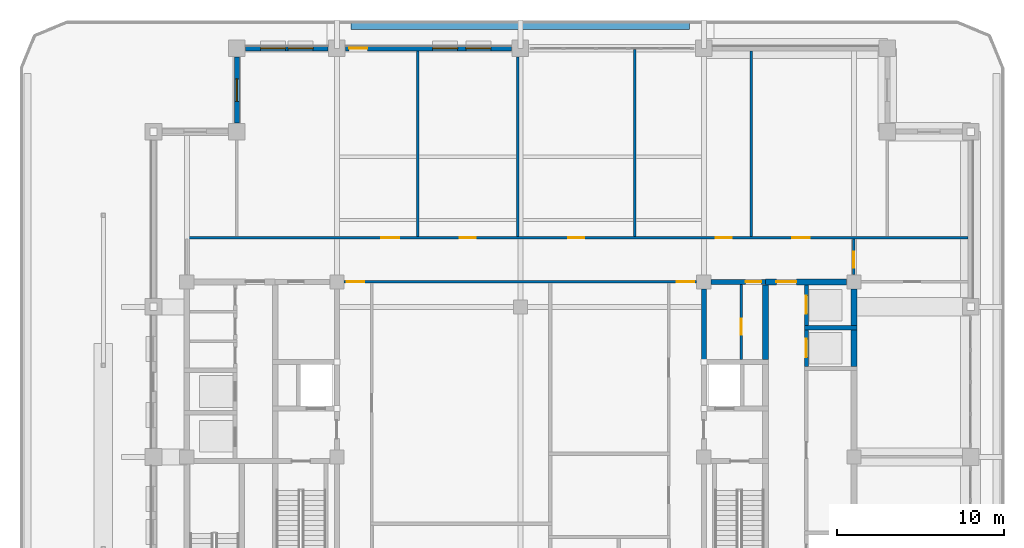
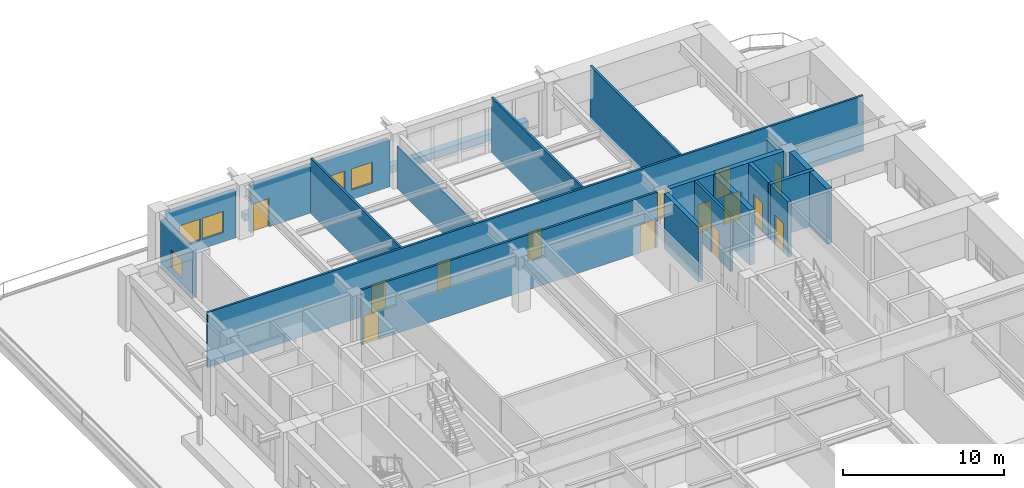
# One storey, part 11 of 20: 21 walls, 14 doors, 5 windows, 19 openings.
"""IFC4 building model written with IfcOpenShell, lengths in metres."""

from ifc_helpers import new_model, si_unit, direction, frame, frame_2d, origin, place, context, subcontext, project, spatial, rectangle, extrude, material, layer, layer_set, type_object, element, fill, save


model = new_model("IFC4")

# Units and contexts
model_context = context("Model", 3, precision=1e-05, world=origin(), true_north=direction((0.0, 1.0)))
body_context = subcontext(model_context, "Body", "Model", "MODEL_VIEW")
ifc_project = project(units=[si_unit("LENGTHUNIT", "METRE"), si_unit("AREAUNIT", "SQUARE_METRE"), si_unit("VOLUMEUNIT", "CUBIC_METRE"), si_unit("PLANEANGLEUNIT", "RADIAN"), si_unit("MASSUNIT", "GRAM", prefix="KILO")], contexts=[model_context])

# Site, building, storey
site_placement = place(None, origin())
site = spatial("IfcSite", under=ifc_project, at=site_placement, CompositionType="ELEMENT")
building_placement = place(site_placement, origin())
building = spatial("IfcBuilding", under=site, at=building_placement, Name="Zulmaris Gate Convention Tower", CompositionType="ELEMENT")
storey_placement = place(building_placement, frame((0.0, 0.0, 158.23974609375)))
storey = spatial("IfcBuildingStorey", under=building, at=storey_placement, Name="L40", CompositionType="ELEMENT", Elevation=158.23974609375)

# Wall
ifc_material_1 = material(Name="Concrete C50/60", Category="concrete")
ifc_layer_1 = layer(ifc_material_1, 0.25, Name="Concrete C50/60")
ifc_layer_set_1 = layer_set([ifc_layer_1], Name="Concrete C50/60")
wall_type_1 = type_object("IfcWallType", Name="CORE-250", PredefinedType="SOLIDWALL", material=ifc_layer_set_1)
wall_1_placement = place(storey_placement, frame((17.02490234375, 7.75, 0.0), z_axis=(0.0, 0.0, 1.0), x_axis=(1.0, 0.0, 0.0)))
element("IfcWall", 1, at=wall_1_placement, inside=storey, type_object=wall_type_1, Name="WL-L40-016", PredefinedType="SOLIDWALL", context=body_context, shape_type="SweptSolid", body=[
    extrude(rectangle(XDim=3.150146484375, YDim=0.25, at=frame_2d((1.5751953125, 0.0))), origin(), (0.0, 0.0, 1.0), 4.170166015625),
])

# Wall, opening, door
wall_2_placement = place(storey_placement, frame((17.14990234375, 5.427001953125, 0.0), z_axis=(0.0, 0.0, 1.0), x_axis=(0.0, 1.0, 0.0)))
wall_2 = element("IfcWall", 2, at=wall_2_placement, inside=storey, type_object=wall_type_1, Name="WL-L40-061", PredefinedType="SOLIDWALL", context=body_context, shape_type="SweptSolid", body=[
    extrude(rectangle(XDim=2.196044921875, YDim=0.25, at=frame_2d((1.09814453125, 0.0))), origin(), (0.0, 0.0, 1.0), 4.170166015625),
])
opening_1_placement = place(wall_2_placement, frame((0.548095703125, 0.0, 0.0)))
opening_1 = element("IfcOpeningElement", 3, at=opening_1_placement, cuts=wall_2, Name="Opening D-06", PredefinedType="OPENING", context=body_context, shape_type="SweptSolid", body=[
    extrude(rectangle(XDim=1.10009765625, YDim=2.199951171875, at=frame_2d((0.550048828125, 1.10009765625))), frame((0.0, 0.135009765625, 0.0), z_axis=(0.0, -1.0, 0.0), x_axis=(1.0, 0.0, 0.0)), (0.0, 0.0, 1.0), 0.27001953125),
])
ifc_material_2 = material(Name="Brushed Stainless Steel", Category="steel")
door_type_1 = type_object("IfcDoorType", Name="LD-1100", OperationType="NOTDEFINED", PredefinedType="DOOR", material=ifc_material_2)
door_1_placement = place(opening_1_placement, origin())
door_1 = element("IfcDoor", 4, at=door_1_placement, inside=storey, type_object=door_type_1, Name="L40 Lift Landing Door HP-01 18", OperationType="SLIDING_TO_RIGHT", OverallHeight=2.199951171875, OverallWidth=1.10009765625, PredefinedType="DOOR", context=body_context, shape_type="SweptSolid", body=[
    extrude(rectangle(XDim=1.10009765625, YDim=2.199951171875, at=frame_2d((0.550048828125, 1.10009765625))), frame((0.0, 0.02490234375, 0.0), z_axis=(0.0, -1.0, 0.0), x_axis=(1.0, 0.0, 0.0)), (0.0, 0.0, 1.0), 0.050048828125),
])
fill(opening_1, door_1)

wall_3_placement = place(storey_placement, frame((17.14990234375, 7.876953125, 0.0), z_axis=(0.0, 0.0, 1.0), x_axis=(0.0, 1.0, 0.0)))
wall_3 = element("IfcWall", 5, at=wall_3_placement, inside=storey, type_object=wall_type_1, Name="WL-L40-062", PredefinedType="SOLIDWALL", context=body_context, shape_type="SweptSolid", body=[
    extrude(rectangle(XDim=2.446044921875, YDim=0.25, at=frame_2d((1.22314453125, 0.0))), origin(), (0.0, 0.0, 1.0), 4.170166015625),
])
opening_2_placement = place(wall_3_placement, frame((0.697998046875, 0.0, 0.0)))
opening_2 = element("IfcOpeningElement", 6, at=opening_2_placement, cuts=wall_3, Name="Opening D-06", PredefinedType="OPENING", context=body_context, shape_type="SweptSolid", body=[
    extrude(rectangle(XDim=1.10009765625, YDim=2.199951171875, at=frame_2d((0.550048828125, 1.10009765625))), frame((0.0, 0.135009765625, 0.0), z_axis=(0.0, -1.0, 0.0), x_axis=(1.0, 0.0, 0.0)), (0.0, 0.0, 1.0), 0.27001953125),
])
door_2_placement = place(opening_2_placement, origin())
door_2 = element("IfcDoor", 7, at=door_2_placement, inside=storey, type_object=door_type_1, Name="L40 Lift Landing Door HP-02 19", OperationType="SLIDING_TO_RIGHT", OverallHeight=2.199951171875, OverallWidth=1.10009765625, PredefinedType="DOOR", context=body_context, shape_type="SweptSolid", body=[
    extrude(rectangle(XDim=1.10009765625, YDim=2.199951171875, at=frame_2d((0.550048828125, 1.10009765625))), frame((0.0, 0.02490234375, 0.0), z_axis=(0.0, -1.0, 0.0), x_axis=(1.0, 0.0, 0.0)), (0.0, 0.0, 1.0), 0.050048828125),
])
fill(opening_2, door_2)

ifc_layer_2 = layer(ifc_material_1, 0.300048828125, Name="Concrete C50/60")
ifc_layer_set_2 = layer_set([ifc_layer_2], Name="Concrete C50/60")
wall_type_2 = type_object("IfcWallType", Name="CORE-300", PredefinedType="SHEAR", material=ifc_layer_set_2)
wall_4_placement = place(storey_placement, frame((11.428955078125, 10.5, 0.0), z_axis=(0.0, 0.0, 1.0), x_axis=(1.0, 0.0, 0.0)))
wall_4 = element("IfcWall", 8, at=wall_4_placement, inside=storey, type_object=wall_type_2, Name="WL-L40-019", PredefinedType="SHEAR", context=body_context, shape_type="SweptSolid", body=[
    extrude(rectangle(XDim=3.27099609375, YDim=0.300048828125, at=frame_2d((1.635498046875, 0.0))), origin(), (0.0, 0.0, 1.0), 4.170166015625),
])
opening_3_placement = place(wall_4_placement, frame((2.075927734375, 0.0, 0.0)))
opening_3 = element("IfcOpeningElement", 9, at=opening_3_placement, cuts=wall_4, Name="Opening D-11", PredefinedType="OPENING", context=body_context, shape_type="SweptSolid", body=[
    extrude(rectangle(XDim=0.949951171875, YDim=2.14990234375, at=frame_2d((0.47509765625, 1.074951171875))), frame((0.0, 0.16015625, 0.0), z_axis=(0.0, -1.0, 0.0), x_axis=(1.0, 0.0, 0.0)), (0.0, 0.0, 1.0), 0.320068359375),
])
ifc_material_3 = material(Name="Fire-Rated Timber", Category="wood")
door_type_2 = type_object("IfcDoorType", Name="DR-950-FD", OperationType="NOTDEFINED", PredefinedType="DOOR", material=ifc_material_3)
door_3_placement = place(opening_3_placement, origin())
door_3 = element("IfcDoor", 10, at=door_3_placement, inside=storey, type_object=door_type_2, Name="L40 Core Linen Closet Door 08", OperationType="SINGLE_SWING_LEFT", OverallHeight=2.14990234375, OverallWidth=0.949951171875, PredefinedType="DOOR", context=body_context, shape_type="SweptSolid", body=[
    extrude(rectangle(XDim=0.949951171875, YDim=2.14990234375, at=frame_2d((0.47509765625, 1.074951171875))), frame((0.0, 0.02490234375, 0.0), z_axis=(0.0, -1.0, 0.0), x_axis=(1.0, 0.0, 0.0)), (0.0, 0.0, 1.0), 0.050048828125),
])
fill(opening_3, door_3)

# Wall
wall_5_placement = place(storey_placement, frame((11.0, 5.85205078125, 0.0), z_axis=(0.0, 0.0, 1.0), x_axis=(0.0, 1.0, 0.0)))
element("IfcWall", 11, at=wall_5_placement, inside=storey, type_object=wall_type_2, Name="WL-L40-053", PredefinedType="SHEAR", context=body_context, shape_type="SweptSolid", body=[
    extrude(rectangle(XDim=4.218994140625, YDim=0.300048828125, at=frame_2d((2.109375, 0.0))), origin(), (0.0, 0.0, 1.0), 4.170166015625),
])

# Wall, opening, door
ifc_material_4 = material(Name="Concrete C55/67", Category="concrete")
ifc_layer_3 = layer(ifc_material_4, 0.35009765625, Name="Concrete C55/67")
ifc_layer_set_3 = layer_set([ifc_layer_3], Name="Concrete C55/67")
wall_type_3 = type_object("IfcWallType", Name="CORE-350", PredefinedType="SHEAR", material=ifc_layer_set_3)
wall_6_placement = place(storey_placement, frame((14.699951171875, 10.5, 0.0), z_axis=(0.0, 0.0, 1.0), x_axis=(1.0, 0.0, 0.0)))
wall_6 = element("IfcWall", 12, at=wall_6_placement, inside=storey, type_object=wall_type_3, Name="WL-L40-020", PredefinedType="SHEAR", context=body_context, shape_type="SweptSolid", body=[
    extrude(rectangle(XDim=4.87109375, YDim=0.35009765625, at=frame_2d((2.435546875, 0.0))), origin(), (0.0, 0.0, 1.0), 4.170166015625),
])
opening_4_placement = place(wall_6_placement, frame((0.64990234375, 0.0, 0.0)))
opening_4 = element("IfcOpeningElement", 13, at=opening_4_placement, cuts=wall_6, Name="Opening D-13", PredefinedType="OPENING", context=body_context, shape_type="SweptSolid", body=[
    extrude(rectangle(XDim=1.199951171875, YDim=2.14990234375, at=frame_2d((0.60009765625, 1.074951171875))), frame((0.0, 0.18505859375, 0.0), z_axis=(0.0, -1.0, 0.0), x_axis=(1.0, 0.0, 0.0)), (0.0, 0.0, 1.0), 0.3701171875),
])
ifc_material_5 = material(Name="Fire-Rated Steel", Category="steel")
door_type_3 = type_object("IfcDoorType", Name="DR-1200-FD", OperationType="NOTDEFINED", PredefinedType="DOOR", material=ifc_material_5)
door_4_placement = place(opening_4_placement, origin())
door_4 = element("IfcDoor", 14, at=door_4_placement, inside=storey, type_object=door_type_3, Name="L40 Sky-Lobby East North Door 21", OperationType="SINGLE_SWING_LEFT", OverallHeight=2.14990234375, OverallWidth=1.199951171875, PredefinedType="DOOR", context=body_context, shape_type="SweptSolid", body=[
    extrude(rectangle(XDim=1.199951171875, YDim=2.14990234375, at=frame_2d((0.60009765625, 1.074951171875))), frame((0.0, 0.02490234375, 0.0), z_axis=(0.0, -1.0, 0.0), x_axis=(1.0, 0.0, 0.0)), (0.0, 0.0, 1.0), 0.050048828125),
])
fill(opening_4, door_4)

# Walls
wall_7_placement = place(storey_placement, frame((14.699951171875, 5.85205078125, 0.0), z_axis=(0.0, 0.0, 1.0), x_axis=(0.0, 1.0, 0.0)))
element("IfcWall", 15, at=wall_7_placement, inside=storey, type_object=wall_type_3, Name="WL-L40-059", PredefinedType="SHEAR", context=body_context, shape_type="SweptSolid", body=[
    extrude(rectangle(XDim=4.470947265625, YDim=0.35009765625, at=frame_2d((2.2353515625, 0.0))), origin(), (0.0, 0.0, 1.0), 4.170166015625),
])
wall_8_placement = place(storey_placement, frame((20.0, 5.427001953125, 0.0), z_axis=(0.0, 0.0, 1.0), x_axis=(0.0, 1.0, 0.0)))
element("IfcWall", 16, at=wall_8_placement, inside=storey, type_object=wall_type_3, Name="WL-L40-066", PredefinedType="SHEAR", context=body_context, shape_type="SweptSolid", body=[
    extrude(rectangle(XDim=2.196044921875, YDim=0.35009765625, at=frame_2d((1.09814453125, 0.0))), origin(), (0.0, 0.0, 1.0), 4.170166015625),
])
wall_9_placement = place(storey_placement, frame((20.0, 7.876953125, 0.0), z_axis=(0.0, 0.0, 1.0), x_axis=(0.0, 1.0, 0.0)))
element("IfcWall", 17, at=wall_9_placement, inside=storey, type_object=wall_type_3, Name="WL-L40-067", PredefinedType="SHEAR", context=body_context, shape_type="SweptSolid", body=[
    extrude(rectangle(XDim=2.194091796875, YDim=0.35009765625, at=frame_2d((1.09716796875, 0.0))), origin(), (0.0, 0.0, 1.0), 4.170166015625),
])

# Wall, openings, doors
ifc_material_6 = material(Name="Gypsum Metal Stud Partition")
ifc_layer_4 = layer(ifc_material_6, 0.14990234375, Name="Gypsum Metal Stud Partition")
ifc_layer_set_4 = layer_set([ifc_layer_4], Name="Gypsum Metal Stud Partition")
wall_type_4 = type_object("IfcWallType", Name="PART-150", PredefinedType="PARTITIONING", material=ifc_layer_set_4)
wall_10_placement = place(storey_placement, frame((-10.569091796875, 10.5, 0.0), z_axis=(0.0, 0.0, 1.0), x_axis=(1.0, 0.0, 0.0)))
wall_10 = element("IfcWall", 18, at=wall_10_placement, inside=storey, type_object=wall_type_4, Name="WL-L40-030", PredefinedType="PARTITIONING", context=body_context, shape_type="SweptSolid", body=[
    extrude(rectangle(XDim=21.13818359375, YDim=0.14990234375, at=frame_2d((10.569091796875, 0.0))), origin(), (0.0, 0.0, 1.0), 4.170166015625),
])
opening_5_placement = place(wall_10_placement, frame((0.14990234375, 0.0, 0.0)))
opening_5 = element("IfcOpeningElement", 19, at=opening_5_placement, cuts=wall_10, Name="Opening D-09", PredefinedType="OPENING", context=body_context, shape_type="SweptSolid", body=[
    extrude(rectangle(XDim=1.050048828125, YDim=2.14990234375, at=frame_2d((0.52490234375, 1.074951171875))), frame((0.0, 0.0849609375, 0.0), z_axis=(0.0, -1.0, 0.0), x_axis=(1.0, 0.0, 0.0)), (0.0, 0.0, 1.0), 0.169921875),
])
opening_6_placement = place(wall_10_placement, frame((19.93798828125, 0.0, 0.0)))
opening_6 = element("IfcOpeningElement", 20, at=opening_6_placement, cuts=wall_10, Name="Opening D-09", PredefinedType="OPENING", context=body_context, shape_type="SweptSolid", body=[
    extrude(rectangle(XDim=1.050048828125, YDim=2.14990234375, at=frame_2d((0.52490234375, 1.074951171875))), frame((0.0, 0.0849609375, 0.0), z_axis=(0.0, -1.0, 0.0), x_axis=(1.0, 0.0, 0.0)), (0.0, 0.0, 1.0), 0.169921875),
])
door_type_4 = type_object("IfcDoorType", Name="DR-1050-FD", OperationType="NOTDEFINED", PredefinedType="DOOR", material=ifc_material_5)
door_5_placement = place(opening_5_placement, origin())
door_5 = element("IfcDoor", 21, at=door_5_placement, inside=storey, type_object=door_type_4, Name="L40 NW Hotel Loop Door 24", OperationType="SINGLE_SWING_RIGHT", OverallHeight=2.14990234375, OverallWidth=1.050048828125, PredefinedType="DOOR", context=body_context, shape_type="SweptSolid", body=[
    extrude(rectangle(XDim=1.050048828125, YDim=2.14990234375, at=frame_2d((0.52490234375, 1.074951171875))), frame((0.0, 0.02490234375, 0.0), z_axis=(0.0, -1.0, 0.0), x_axis=(1.0, 0.0, 0.0)), (0.0, 0.0, 1.0), 0.050048828125),
])
fill(opening_5, door_5)
door_6_placement = place(opening_6_placement, origin())
door_6 = element("IfcDoor", 22, at=door_6_placement, inside=storey, type_object=door_type_4, Name="L40 NE Hotel Loop Door 26", OperationType="SINGLE_SWING_RIGHT", OverallHeight=2.14990234375, OverallWidth=1.050048828125, PredefinedType="DOOR", context=body_context, shape_type="SweptSolid", body=[
    extrude(rectangle(XDim=1.050048828125, YDim=2.14990234375, at=frame_2d((0.52490234375, 1.074951171875))), frame((0.0, 0.02490234375, 0.0), z_axis=(0.0, -1.0, 0.0), x_axis=(1.0, 0.0, 0.0)), (0.0, 0.0, 1.0), 0.050048828125),
])
fill(opening_6, door_6)

wall_11_placement = place(storey_placement, frame((-20.074951171875, 13.14990234375, 0.0), z_axis=(0.0, 0.0, 1.0), x_axis=(1.0, 0.0, 0.0)))
wall_11 = element("IfcWall", 23, at=wall_11_placement, inside=storey, type_object=wall_type_4, Name="WL-L40-032", PredefinedType="PARTITIONING", context=body_context, shape_type="SweptSolid", body=[
    extrude(rectangle(XDim=46.909912109375, YDim=0.14990234375, at=frame_2d((23.455078125, 0.0))), origin(), (0.0, 0.0, 1.0), 4.170166015625),
])
opening_7_placement = place(wall_11_placement, frame((11.75, 0.0, 0.0)))
opening_7 = element("IfcOpeningElement", 24, at=opening_7_placement, cuts=wall_11, Name="Opening D-09", PredefinedType="OPENING", context=body_context, shape_type="SweptSolid", body=[
    extrude(rectangle(XDim=1.050048828125, YDim=2.14990234375, at=frame_2d((0.52490234375, 1.074951171875))), frame((0.0, 0.0849609375, 0.0), z_axis=(0.0, -1.0, 0.0), x_axis=(1.0, 0.0, 0.0)), (0.0, 0.0, 1.0), 0.169921875),
])
opening_8_placement = place(wall_11_placement, frame((16.449951171875, 0.0, 0.0)))
opening_8 = element("IfcOpeningElement", 25, at=opening_8_placement, cuts=wall_11, Name="Opening D-11", PredefinedType="OPENING", context=body_context, shape_type="SweptSolid", body=[
    extrude(rectangle(XDim=0.949951171875, YDim=2.14990234375, at=frame_2d((0.47509765625, 1.074951171875))), frame((0.0, 0.0849609375, 0.0), z_axis=(0.0, -1.0, 0.0), x_axis=(1.0, 0.0, 0.0)), (0.0, 0.0, 1.0), 0.169921875),
])
opening_9_placement = place(wall_11_placement, frame((22.949951171875, 0.0, 0.0)))
opening_9 = element("IfcOpeningElement", 26, at=opening_9_placement, cuts=wall_11, Name="Opening D-11", PredefinedType="OPENING", context=body_context, shape_type="SweptSolid", body=[
    extrude(rectangle(XDim=0.949951171875, YDim=2.14990234375, at=frame_2d((0.47509765625, 1.074951171875))), frame((0.0, 0.0849609375, 0.0), z_axis=(0.0, -1.0, 0.0), x_axis=(1.0, 0.0, 0.0)), (0.0, 0.0, 1.0), 0.169921875),
])
opening_10_placement = place(wall_11_placement, frame((31.800048828125, 0.0, 0.0)))
opening_10 = element("IfcOpeningElement", 27, at=opening_10_placement, cuts=wall_11, Name="Opening D-11", PredefinedType="OPENING", context=body_context, shape_type="SweptSolid", body=[
    extrude(rectangle(XDim=0.949951171875, YDim=2.14990234375, at=frame_2d((0.47509765625, 1.074951171875))), frame((0.0, 0.0849609375, 0.0), z_axis=(0.0, -1.0, 0.0), x_axis=(1.0, 0.0, 0.0)), (0.0, 0.0, 1.0), 0.169921875),
])
opening_11_placement = place(wall_11_placement, frame((36.3701171875, 0.0, 0.0)))
opening_11 = element("IfcOpeningElement", 28, at=opening_11_placement, cuts=wall_11, Name="Opening D-09", PredefinedType="OPENING", context=body_context, shape_type="SweptSolid", body=[
    extrude(rectangle(XDim=1.050048828125, YDim=2.14990234375, at=frame_2d((0.52490234375, 1.074951171875))), frame((0.0, 0.0849609375, 0.0), z_axis=(0.0, -1.0, 0.0), x_axis=(1.0, 0.0, 0.0)), (0.0, 0.0, 1.0), 0.169921875),
])
door_7_placement = place(opening_7_placement, origin())
door_7 = element("IfcDoor", 29, at=door_7_placement, inside=storey, type_object=door_type_4, Name="L40 Sky-Lobby Transfer Concourse Door 28", OperationType="SINGLE_SWING_RIGHT", OverallHeight=2.14990234375, OverallWidth=1.050048828125, PredefinedType="DOOR", context=body_context, shape_type="SweptSolid", body=[
    extrude(rectangle(XDim=1.050048828125, YDim=2.14990234375, at=frame_2d((0.52490234375, 1.074951171875))), frame((0.0, 0.02490234375, 0.0), z_axis=(0.0, -1.0, 0.0), x_axis=(1.0, 0.0, 0.0)), (0.0, 0.0, 1.0), 0.050048828125),
])
fill(opening_7, door_7)
door_8_placement = place(opening_11_placement, origin())
door_8 = element("IfcDoor", 30, at=door_8_placement, inside=storey, type_object=door_type_4, Name="L40 Sky-Lobby Transfer Concourse Door 32", OperationType="SINGLE_SWING_RIGHT", OverallHeight=2.14990234375, OverallWidth=1.050048828125, PredefinedType="DOOR", context=body_context, shape_type="SweptSolid", body=[
    extrude(rectangle(XDim=1.050048828125, YDim=2.14990234375, at=frame_2d((0.52490234375, 1.074951171875))), frame((0.0, 0.02490234375, 0.0), z_axis=(0.0, -1.0, 0.0), x_axis=(1.0, 0.0, 0.0)), (0.0, 0.0, 1.0), 0.050048828125),
])
fill(opening_11, door_8)
door_9_placement = place(opening_8_placement, origin())
door_9 = element("IfcDoor", 31, at=door_9_placement, inside=storey, type_object=door_type_2, Name="L40 Sky-Lobby Concierge Office Door 29", OperationType="SINGLE_SWING_LEFT", OverallHeight=2.14990234375, OverallWidth=0.949951171875, PredefinedType="DOOR", context=body_context, shape_type="SweptSolid", body=[
    extrude(rectangle(XDim=0.949951171875, YDim=2.14990234375, at=frame_2d((0.47509765625, 1.074951171875))), frame((0.0, 0.02490234375, 0.0), z_axis=(0.0, -1.0, 0.0), x_axis=(1.0, 0.0, 0.0)), (0.0, 0.0, 1.0), 0.050048828125),
])
fill(opening_8, door_9)
door_10_placement = place(opening_9_placement, origin())
door_10 = element("IfcDoor", 32, at=door_10_placement, inside=storey, type_object=door_type_2, Name="L40 Delegate Business Lounge Door 30", OperationType="SINGLE_SWING_RIGHT", OverallHeight=2.14990234375, OverallWidth=0.949951171875, PredefinedType="DOOR", context=body_context, shape_type="SweptSolid", body=[
    extrude(rectangle(XDim=0.949951171875, YDim=2.14990234375, at=frame_2d((0.47509765625, 1.074951171875))), frame((0.0, 0.02490234375, 0.0), z_axis=(0.0, -1.0, 0.0), x_axis=(1.0, 0.0, 0.0)), (0.0, 0.0, 1.0), 0.050048828125),
])
fill(opening_9, door_10)
door_11_placement = place(opening_10_placement, origin())
door_11 = element("IfcDoor", 33, at=door_11_placement, inside=storey, type_object=door_type_2, Name="L40 Sky-Lobby Reading Study Door 31", OperationType="SINGLE_SWING_LEFT", OverallHeight=2.14990234375, OverallWidth=0.949951171875, PredefinedType="DOOR", context=body_context, shape_type="SweptSolid", body=[
    extrude(rectangle(XDim=0.949951171875, YDim=2.14990234375, at=frame_2d((0.47509765625, 1.074951171875))), frame((0.0, 0.02490234375, 0.0), z_axis=(0.0, -1.0, 0.0), x_axis=(1.0, 0.0, 0.0)), (0.0, 0.0, 1.0), 0.050048828125),
])
fill(opening_10, door_11)

# Walls
wall_12_placement = place(storey_placement, frame((-6.14990234375, 13.22802734375, 0.0), z_axis=(0.0, 0.0, 1.0), x_axis=(0.0, 1.0, 0.0)))
element("IfcWall", 34, at=wall_12_placement, inside=storey, type_object=wall_type_4, Name="WL-L40-077", PredefinedType="PARTITIONING", context=body_context, shape_type="SweptSolid", body=[
    extrude(rectangle(XDim=11.10693359375, YDim=0.14990234375, at=frame_2d((5.553466796875, 0.0))), origin(), (0.0, 0.0, 1.0), 4.170166015625),
])
wall_13_placement = place(storey_placement, frame((-0.14990234375, 13.22802734375, 0.0), z_axis=(0.0, 0.0, 1.0), x_axis=(0.0, 1.0, 0.0)))
element("IfcWall", 35, at=wall_13_placement, inside=storey, type_object=wall_type_4, Name="WL-L40-080", PredefinedType="PARTITIONING", context=body_context, shape_type="SweptSolid", body=[
    extrude(rectangle(XDim=10.765869140625, YDim=0.14990234375, at=frame_2d((5.3828125, 0.0))), origin(), (0.0, 0.0, 1.0), 3.18505859375),
])
wall_14_placement = place(storey_placement, frame((6.85009765625, 13.22802734375, 0.0), z_axis=(0.0, 0.0, 1.0), x_axis=(0.0, 1.0, 0.0)))
element("IfcWall", 36, at=wall_14_placement, inside=storey, type_object=wall_type_4, Name="WL-L40-087", PredefinedType="PARTITIONING", context=body_context, shape_type="SweptSolid", body=[
    extrude(rectangle(XDim=11.2119140625, YDim=0.14990234375, at=frame_2d((5.60595703125, 0.0))), origin(), (0.0, 0.0, 1.0), 4.170166015625),
])

# Wall, opening, door
wall_15_placement = place(storey_placement, frame((13.25, 5.85302734375, 0.0), z_axis=(0.0, 0.0, 1.0), x_axis=(0.0, 1.0, 0.0)))
wall_15 = element("IfcWall", 37, at=wall_15_placement, inside=storey, type_object=wall_type_4, Name="WL-L40-091", PredefinedType="PARTITIONING", context=body_context, shape_type="SweptSolid", body=[
    extrude(rectangle(XDim=4.493896484375, YDim=0.14990234375, at=frame_2d((2.2470703125, 0.0))), origin(), (0.0, 0.0, 1.0), 4.170166015625),
])
opening_12_placement = place(wall_15_placement, frame((1.471923828125, 0.0, 0.0)))
opening_12 = element("IfcOpeningElement", 38, at=opening_12_placement, cuts=wall_15, Name="Opening D-11", PredefinedType="OPENING", context=body_context, shape_type="SweptSolid", body=[
    extrude(rectangle(XDim=0.949951171875, YDim=2.14990234375, at=frame_2d((0.47509765625, 1.074951171875))), frame((0.0, 0.0849609375, 0.0), z_axis=(0.0, -1.0, 0.0), x_axis=(1.0, 0.0, 0.0)), (0.0, 0.0, 1.0), 0.169921875),
])
door_12_placement = place(opening_12_placement, origin())
door_12 = element("IfcDoor", 39, at=door_12_placement, inside=storey, type_object=door_type_2, Name="L40 Core Service Pantry Door 09", OperationType="SINGLE_SWING_RIGHT", OverallHeight=2.14990234375, OverallWidth=0.949951171875, PredefinedType="DOOR", context=body_context, shape_type="SweptSolid", body=[
    extrude(rectangle(XDim=0.949951171875, YDim=2.14990234375, at=frame_2d((0.47509765625, 1.074951171875))), frame((0.0, 0.02490234375, 0.0), z_axis=(0.0, -1.0, 0.0), x_axis=(1.0, 0.0, 0.0)), (0.0, 0.0, 1.0), 0.050048828125),
])
fill(opening_12, door_12)

# Wall
wall_16_placement = place(storey_placement, frame((13.85009765625, 13.22802734375, 0.0), z_axis=(0.0, 0.0, 1.0), x_axis=(0.0, 1.0, 0.0)))
element("IfcWall", 40, at=wall_16_placement, inside=storey, type_object=wall_type_4, Name="WL-L40-092", PredefinedType="PARTITIONING", context=body_context, shape_type="SweptSolid", body=[
    extrude(rectangle(XDim=11.10693359375, YDim=0.14990234375, at=frame_2d((5.553466796875, 0.0))), origin(), (0.0, 0.0, 1.0), 4.170166015625),
])

# Wall, opening, door
wall_17_placement = place(storey_placement, frame((20.0, 10.930908203125, 0.0), z_axis=(0.0, 0.0, 1.0), x_axis=(0.0, 1.0, 0.0)))
wall_17 = element("IfcWall", 41, at=wall_17_placement, inside=storey, type_object=wall_type_4, Name="WL-L40-097", PredefinedType="PARTITIONING", context=body_context, shape_type="SweptSolid", body=[
    extrude(rectangle(XDim=2.14111328125, YDim=0.14990234375, at=frame_2d((1.070556640625, 0.0))), origin(), (0.0, 0.0, 1.0), 3.360107421875),
])
opening_13_placement = place(wall_17_placement, frame((0.4140625, 0.0, 0.0)))
opening_13 = element("IfcOpeningElement", 42, at=opening_13_placement, cuts=wall_17, Name="Opening D-11", PredefinedType="OPENING", context=body_context, shape_type="SweptSolid", body=[
    extrude(rectangle(XDim=0.949951171875, YDim=2.14990234375, at=frame_2d((0.47509765625, 1.074951171875))), frame((0.0, 0.0849609375, 0.0), z_axis=(0.0, -1.0, 0.0), x_axis=(1.0, 0.0, 0.0)), (0.0, 0.0, 1.0), 0.169921875),
])
door_13_placement = place(opening_13_placement, origin())
door_13 = element("IfcDoor", 43, at=door_13_placement, inside=storey, type_object=door_type_2, Name="L40 NE Spur Door 44", OperationType="SINGLE_SWING_RIGHT", OverallHeight=2.14990234375, OverallWidth=0.949951171875, PredefinedType="DOOR", context=body_context, shape_type="SweptSolid", body=[
    extrude(rectangle(XDim=0.949951171875, YDim=2.14990234375, at=frame_2d((0.47509765625, 1.074951171875))), frame((0.0, 0.02490234375, 0.0), z_axis=(0.0, -1.0, 0.0), x_axis=(1.0, 0.0, 0.0)), (0.0, 0.0, 1.0), 0.050048828125),
])
fill(opening_13, door_13)

# Wall
ifc_material_7 = material(Name="Botanical Green Glazed Precast Concrete C40/50", Category="concrete")
ifc_layer_5 = layer(ifc_material_7, 0.419921875, Name="Botanical Green Glazed Precast Concrete C40/50")
ifc_layer_set_5 = layer_set([ifc_layer_5], Name="Botanical Green Glazed Precast Concrete C40/50")
wall_type_5 = type_object("IfcWallType", Name="PLANTER-CURB-200", PredefinedType="PARAPET", material=ifc_layer_set_5)
wall_18_placement = place(storey_placement, frame((-10.14990234375, 25.8798828125, -0.0400390625), z_axis=(0.0, 0.0, 1.0), x_axis=(1.0, 0.0, 0.0)))
element("IfcWall", 44, at=wall_18_placement, inside=storey, type_object=wall_type_5, Name="L40 Full-Length Balcony Tree Planter Trough", PredefinedType="PARAPET", context=body_context, shape_type="SweptSolid", body=[
    extrude(rectangle(XDim=20.2998046875, YDim=0.47998046875, at=frame_2d((10.14990234375, 0.0))), origin(), (0.0, 0.0, 1.0), 0.52001953125),
])

# Wall, opening, window
ifc_material_8 = material(Name="Precast concrete C40/50", Category="concrete")
ifc_layer_6 = layer(ifc_material_8, 0.300048828125, Name="Precast concrete C40/50")
ifc_layer_set_6 = layer_set([ifc_layer_6], Name="Precast concrete C40/50")
wall_type_6 = type_object("IfcWallType", Name="PRECAST-PIER-300", PredefinedType="STANDARD", material=ifc_layer_set_6)
wall_19_placement = place(storey_placement, frame((-17.0, 23.969970703125, 0.0), z_axis=(0.0, 0.0, 1.0), x_axis=(0.0, -1.0, 0.0)))
wall_19 = element("IfcWall", 45, at=wall_19_placement, inside=storey, type_object=wall_type_6, Name="EW-L40-NOTCH-NW1_0", PredefinedType="STANDARD", context=body_context, shape_type="SweptSolid", body=[
    extrude(rectangle(XDim=3.93994140625, YDim=0.300048828125, at=frame_2d((1.969970703125, 0.0))), origin(), (0.0, 0.0, 1.0), 3.562255859375),
])
opening_14_placement = place(wall_19_placement, frame((1.294921875, 0.0, 0.679931640625)))
opening_14 = element("IfcOpeningElement", 46, at=opening_14_placement, cuts=wall_19, Name="Opening W-10", PredefinedType="OPENING", context=body_context, shape_type="SweptSolid", body=[
    extrude(rectangle(XDim=1.35009765625, YDim=1.419921875, at=frame_2d((0.675048828125, 0.7099609375))), frame((0.0, 0.16015625, 0.0), z_axis=(0.0, -1.0, 0.0), x_axis=(1.0, 0.0, 0.0)), (0.0, 0.0, 1.0), 0.320068359375),
])
ifc_material_9 = material(Name="Low-E Laminated Double Glazing in Aluminium Frame", Category="aluminium")
window_type_1 = type_object("IfcWindowType", Name="WIN-1350x2000", PartitioningType="SINGLE_PANEL", PredefinedType="WINDOW", material=ifc_material_9)
window_1_placement = place(opening_14_placement, origin())
window_1 = element("IfcWindow", 47, at=window_1_placement, inside=storey, type_object=window_type_1, Name="WN-EW-L40-NOTCH-NW1_0", OverallHeight=1.419921875, OverallWidth=1.35009765625, PartitioningType="SINGLE_PANEL", PredefinedType="WINDOW", context=body_context, shape_type="SweptSolid", body=[
    extrude(rectangle(XDim=1.35009765625, YDim=1.419921875, at=frame_2d((0.675048828125, 0.7099609375))), frame((0.0, 0.030029296875, 0.0), z_axis=(0.0, -1.0, 0.0), x_axis=(1.0, 0.0, 0.0)), (0.0, 0.0, 1.0), 0.06005859375),
])
fill(opening_14, window_1)

# Wall, openings, windows
wall_20_placement = place(storey_placement, frame((-11.530029296875, 24.5, 0.0), z_axis=(0.0, 0.0, 1.0), x_axis=(-1.0, 0.0, 0.0)))
wall_20 = element("IfcWall", 48, at=wall_20_placement, inside=storey, type_object=wall_type_6, Name="EW-L40-N-0_0", PredefinedType="STANDARD", context=body_context, shape_type="SweptSolid", body=[
    extrude(rectangle(XDim=4.93994140625, YDim=0.300048828125, at=frame_2d((2.469970703125, 0.0))), origin(), (0.0, 0.0, 1.0), 3.562255859375),
])
opening_15_placement = place(wall_20_placement, frame((0.89697265625, 0.0, 0.719970703125)))
opening_15 = element("IfcOpeningElement", 49, at=opening_15_placement, cuts=wall_20, Name="Opening W-03", PredefinedType="OPENING", context=body_context, shape_type="SweptSolid", body=[
    extrude(rectangle(XDim=1.5, YDim=1.60009765625, at=frame_2d((0.75, 0.800048828125))), frame((0.0, 0.16015625, 0.0), z_axis=(0.0, -1.0, 0.0), x_axis=(1.0, 0.0, 0.0)), (0.0, 0.0, 1.0), 0.320068359375),
])
opening_16_placement = place(wall_20_placement, frame((2.54296875, 0.0, 0.719970703125)))
opening_16 = element("IfcOpeningElement", 50, at=opening_16_placement, cuts=wall_20, Name="Opening W-03", PredefinedType="OPENING", context=body_context, shape_type="SweptSolid", body=[
    extrude(rectangle(XDim=1.5, YDim=1.60009765625, at=frame_2d((0.75, 0.800048828125))), frame((0.0, 0.16015625, 0.0), z_axis=(0.0, -1.0, 0.0), x_axis=(1.0, 0.0, 0.0)), (0.0, 0.0, 1.0), 0.320068359375),
])
window_type_2 = type_object("IfcWindowType", Name="WIN-1500x2100", PartitioningType="SINGLE_PANEL", PredefinedType="WINDOW", material=ifc_material_9)
window_2_placement = place(opening_15_placement, origin())
window_2 = element("IfcWindow", 51, at=window_2_placement, inside=storey, type_object=window_type_2, Name="WN-EW-L40-N-0_0-1", OverallHeight=1.60009765625, OverallWidth=1.5, PartitioningType="SINGLE_PANEL", PredefinedType="WINDOW", context=body_context, shape_type="SweptSolid", body=[
    extrude(rectangle(XDim=1.5, YDim=1.60009765625, at=frame_2d((0.75, 0.800048828125))), frame((0.0, 0.030029296875, 0.0), z_axis=(0.0, -1.0, 0.0), x_axis=(1.0, 0.0, 0.0)), (0.0, 0.0, 1.0), 0.06005859375),
])
fill(opening_15, window_2)
window_3_placement = place(opening_16_placement, origin())
window_3 = element("IfcWindow", 52, at=window_3_placement, inside=storey, type_object=window_type_2, Name="WN-EW-L40-N-0_0-2", OverallHeight=1.60009765625, OverallWidth=1.5, PartitioningType="SINGLE_PANEL", PredefinedType="WINDOW", context=body_context, shape_type="SweptSolid", body=[
    extrude(rectangle(XDim=1.5, YDim=1.60009765625, at=frame_2d((0.75, 0.800048828125))), frame((0.0, 0.030029296875, 0.0), z_axis=(0.0, -1.0, 0.0), x_axis=(1.0, 0.0, 0.0)), (0.0, 0.0, 1.0), 0.06005859375),
])
fill(opening_16, window_3)

# Wall, openings, door, windows
wall_21_placement = place(storey_placement, frame((-0.530029296875, 24.5, 0.0), z_axis=(0.0, 0.0, 1.0), x_axis=(-1.0, 0.0, 0.0)))
wall_21 = element("IfcWall", 53, at=wall_21_placement, inside=storey, type_object=wall_type_6, Name="EW-L40-N-1_0", PredefinedType="STANDARD", context=body_context, shape_type="SweptSolid", body=[
    extrude(rectangle(XDim=9.93994140625, YDim=0.300048828125, at=frame_2d((4.969970703125, 0.0))), origin(), (0.0, 0.0, 1.0), 3.562255859375),
])
opening_17_placement = place(wall_21_placement, frame((8.639892578125, 0.0, 0.0)))
opening_17 = element("IfcOpeningElement", 54, at=opening_17_placement, cuts=wall_21, Name="Opening D-04", PredefinedType="OPENING", context=body_context, shape_type="SweptSolid", body=[
    extrude(rectangle(XDim=1.10009765625, YDim=2.14990234375, at=frame_2d((0.550048828125, 1.074951171875))), frame((0.0, 0.16015625, 0.0), z_axis=(0.0, -1.0, 0.0), x_axis=(1.0, 0.0, 0.0)), (0.0, 0.0, 1.0), 0.320068359375),
])
opening_18_placement = place(wall_21_placement, frame((1.238037109375, 0.0, 0.719970703125)))
opening_18 = element("IfcOpeningElement", 55, at=opening_18_placement, cuts=wall_21, Name="Opening W-03", PredefinedType="OPENING", context=body_context, shape_type="SweptSolid", body=[
    extrude(rectangle(XDim=1.5, YDim=1.60009765625, at=frame_2d((0.75, 0.800048828125))), frame((0.0, 0.16015625, 0.0), z_axis=(0.0, -1.0, 0.0), x_axis=(1.0, 0.0, 0.0)), (0.0, 0.0, 1.0), 0.320068359375),
])
opening_19_placement = place(wall_21_placement, frame((3.22607421875, 0.0, 0.719970703125)))
opening_19 = element("IfcOpeningElement", 56, at=opening_19_placement, cuts=wall_21, Name="Opening W-03", PredefinedType="OPENING", context=body_context, shape_type="SweptSolid", body=[
    extrude(rectangle(XDim=1.5, YDim=1.60009765625, at=frame_2d((0.75, 0.800048828125))), frame((0.0, 0.16015625, 0.0), z_axis=(0.0, -1.0, 0.0), x_axis=(1.0, 0.0, 0.0)), (0.0, 0.0, 1.0), 0.320068359375),
])
ifc_material_10 = material(Name="Anodised Aluminium and Laminated Glass", Category="aluminium")
door_type_5 = type_object("IfcDoorType", Name="ED-1100", OperationType="SINGLE_SWING_RIGHT", PredefinedType="DOOR", material=ifc_material_10)
door_14_placement = place(opening_17_placement, origin())
door_14 = element("IfcDoor", 57, at=door_14_placement, inside=storey, type_object=door_type_5, Name="L40 N Planted Terrace Door", OperationType="SINGLE_SWING_LEFT", OverallHeight=2.14990234375, OverallWidth=1.10009765625, PredefinedType="DOOR", context=body_context, shape_type="SweptSolid", body=[
    extrude(rectangle(XDim=1.10009765625, YDim=2.14990234375, at=frame_2d((0.550048828125, 1.074951171875))), frame((0.0, 0.02490234375, 0.0), z_axis=(0.0, -1.0, 0.0), x_axis=(1.0, 0.0, 0.0)), (0.0, 0.0, 1.0), 0.050048828125),
])
fill(opening_17, door_14)
window_4_placement = place(opening_18_placement, origin())
window_4 = element("IfcWindow", 58, at=window_4_placement, inside=storey, type_object=window_type_2, Name="WN-EW-L40-N-1_0-1", OverallHeight=1.60009765625, OverallWidth=1.5, PartitioningType="SINGLE_PANEL", PredefinedType="WINDOW", context=body_context, shape_type="SweptSolid", body=[
    extrude(rectangle(XDim=1.5, YDim=1.60009765625, at=frame_2d((0.75, 0.800048828125))), frame((0.0, 0.030029296875, 0.0), z_axis=(0.0, -1.0, 0.0), x_axis=(1.0, 0.0, 0.0)), (0.0, 0.0, 1.0), 0.06005859375),
])
fill(opening_18, window_4)
window_5_placement = place(opening_19_placement, origin())
window_5 = element("IfcWindow", 59, at=window_5_placement, inside=storey, type_object=window_type_2, Name="WN-EW-L40-N-1_0-2", OverallHeight=1.60009765625, OverallWidth=1.5, PartitioningType="SINGLE_PANEL", PredefinedType="WINDOW", context=body_context, shape_type="SweptSolid", body=[
    extrude(rectangle(XDim=1.5, YDim=1.60009765625, at=frame_2d((0.75, 0.800048828125))), frame((0.0, 0.030029296875, 0.0), z_axis=(0.0, -1.0, 0.0), x_axis=(1.0, 0.0, 0.0)), (0.0, 0.0, 1.0), 0.06005859375),
])
fill(opening_19, window_5)

save(model, "model.ifc")
